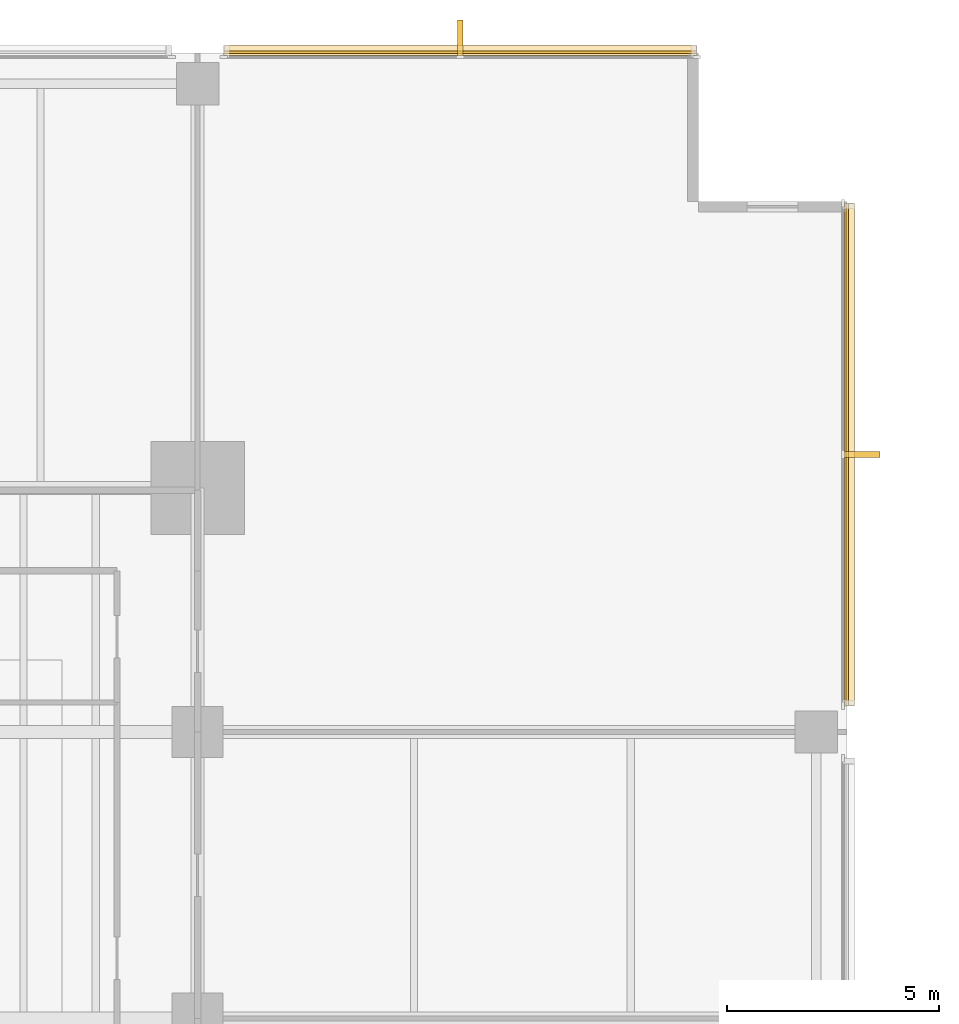
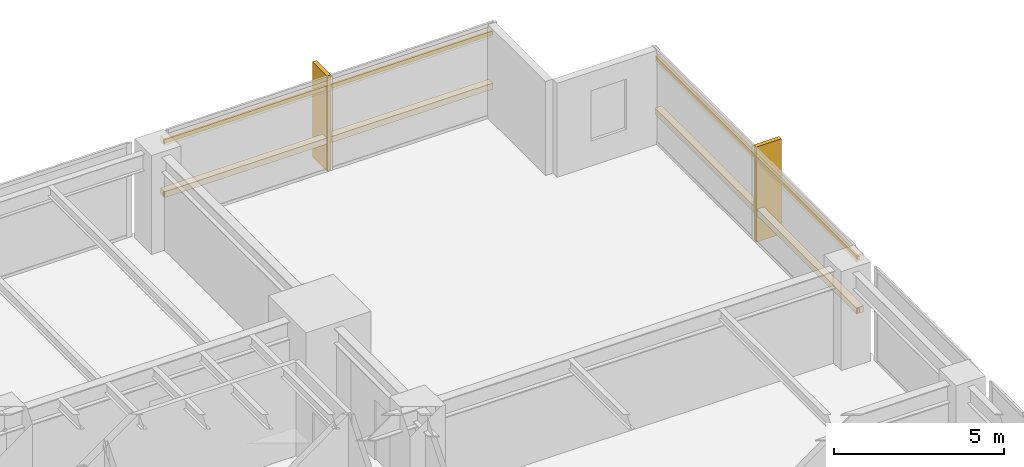
# One storey, part 15 of 15: 6 coverings, 4 shading devices.
"""IFC4 building model written with IfcOpenShell, lengths in metres."""

from ifc_helpers import new_model, si_unit, direction, frame, origin, origin_2d, place, context, subcontext, project, spatial, polyline, rectangle, outline, extrude, material, layer, layer_set, material_profile, profile_set, type_object, element, save


model = new_model("IFC4")

# Units and contexts
model_context = context("Model", 3, precision=1e-05, world=origin(), true_north=direction((0.0, 1.0)))
body_context = subcontext(model_context, "Body", "Model", "MODEL_VIEW")
ifc_project = project(units=[si_unit("LENGTHUNIT", "METRE"), si_unit("AREAUNIT", "SQUARE_METRE"), si_unit("VOLUMEUNIT", "CUBIC_METRE"), si_unit("PLANEANGLEUNIT", "RADIAN"), si_unit("MASSUNIT", "GRAM", prefix="KILO")], contexts=[model_context])

# Site, building, storey
site_placement = place(None, origin())
site = spatial("IfcSite", under=ifc_project, at=site_placement, CompositionType="ELEMENT")
building_placement = place(site_placement, origin())
building = spatial("IfcBuilding", under=site, at=building_placement, Name="Kinhvarn Gate Tower", CompositionType="ELEMENT")
storey_placement = place(building_placement, frame((0.0, 0.0, 32.699951171875)))
storey = spatial("IfcBuildingStorey", under=building, at=storey_placement, Name="L07", CompositionType="ELEMENT", Elevation=32.699951171875)

# Coverings
ifc_material = material(Name="Fired architectural terracotta", Category="masonry")
ifc_layer_1 = layer(ifc_material, 0.239990234375)
ifc_layer_set_1 = layer_set([ifc_layer_1], Name="Fired architectural terracotta")
covering_type_1 = type_object("IfcCoveringType", Name="COV-BAG-220", PredefinedType="CLADDING", material=ifc_layer_set_1)
covering_1_placement = place(storey_placement, frame((0.0, 0.0, 0.93994140625)))
element("IfcCovering", 1, at=covering_1_placement, inside=storey, type_object=covering_type_1, Name="Terracotta Horizontal Sunscreen Band TBG-220 (L07)", PredefinedType="CLADDING", context=body_context, shape_type="SweptSolid", body=[
    extrude(outline(polyline([(49.9599609375, 47.93994140625), (38.820068359375, 47.93994140625), (38.820068359375, 48.179931640625), (49.9599609375, 48.179931640625), (49.9599609375, 47.93994140625)])), origin(), (0.0, 0.0, 1.0), 0.22021484375),
])
covering_2_placement = place(storey_placement, frame((0.0, 0.0, 2.81005859375)))
element("IfcCovering", 2, at=covering_2_placement, inside=storey, type_object=covering_type_1, Name="Terracotta Horizontal Sunscreen Band TBG-220 (L07)", PredefinedType="CLADDING", context=body_context, shape_type="SweptSolid", body=[
    extrude(outline(polyline([(49.9599609375, 47.93994140625), (38.820068359375, 47.93994140625), (38.820068359375, 48.179931640625), (49.9599609375, 48.179931640625), (49.9599609375, 47.93994140625)])), origin(), (0.0, 0.0, 1.0), 0.219970703125),
])
covering_3_placement = place(storey_placement, frame((0.0, 0.0, 0.93994140625)))
element("IfcCovering", 3, at=covering_3_placement, inside=storey, type_object=covering_type_1, Name="Terracotta Horizontal Sunscreen Band TBG-220 (L07)", PredefinedType="CLADDING", context=body_context, shape_type="SweptSolid", body=[
    extrude(outline(polyline([(53.43994140625, 32.6201171875), (53.43994140625, 44.4599609375), (53.679931640625, 44.4599609375), (53.679931640625, 32.6201171875), (53.43994140625, 32.6201171875)])), origin(), (0.0, 0.0, 1.0), 0.22021484375),
])
covering_4_placement = place(storey_placement, frame((0.0, 0.0, 2.81005859375)))
element("IfcCovering", 4, at=covering_4_placement, inside=storey, type_object=covering_type_1, Name="Terracotta Horizontal Sunscreen Band TBG-220 (L07)", PredefinedType="CLADDING", context=body_context, shape_type="SweptSolid", body=[
    extrude(outline(polyline([(53.43994140625, 32.6201171875), (53.43994140625, 44.4599609375), (53.679931640625, 44.4599609375), (53.679931640625, 32.6201171875), (53.43994140625, 32.6201171875)])), origin(), (0.0, 0.0, 1.0), 0.219970703125),
])
ifc_layer_2 = layer(ifc_material, 0.139892578125)
ifc_layer_set_2 = layer_set([ifc_layer_2], Name="Fired architectural terracotta")
covering_type_2 = type_object("IfcCoveringType", Name="COV-FIN-850", PredefinedType="CLADDING", material=ifc_layer_set_2)
covering_5_placement = place(storey_placement, frame((0.0, 0.0, -0.02001953125)))
element("IfcCovering", 5, at=covering_5_placement, inside=storey, type_object=covering_type_2, Name="Vertical Terracotta Expressive Fin TFN-850 (L07)", PredefinedType="CLADDING", context=body_context, shape_type="SweptSolid", body=[
    extrude(outline(polyline([(44.4599609375, 47.929931640625), (44.320068359375, 47.929931640625), (44.320068359375, 48.780029296875), (44.4599609375, 48.780029296875), (44.4599609375, 47.929931640625)])), origin(), (0.0, 0.0, 1.0), 3.41015625),
])
covering_6_placement = place(storey_placement, frame((0.0, 0.0, -0.02001953125)))
element("IfcCovering", 6, at=covering_6_placement, inside=storey, type_object=covering_type_2, Name="Vertical Terracotta Expressive Fin TFN-850 (L07)", PredefinedType="CLADDING", context=body_context, shape_type="SweptSolid", body=[
    extrude(outline(polyline([(53.429931640625, 38.469970703125), (53.429931640625, 38.610107421875), (54.280029296875, 38.610107421875), (54.280029296875, 38.469970703125), (53.429931640625, 38.469970703125)])), origin(), (0.0, 0.0, 1.0), 3.41015625),
])

# Shading devices
ifc_material_profile = material_profile(ifc_material, rectangle(XDim=0.06005859375, YDim=0.139892578125, at=origin_2d()), Name="TC 60x140")
ifc_profile_set = profile_set([ifc_material_profile], Name="Fired architectural terracotta")
shading_device_type = type_object("IfcShadingDeviceType", Name="SHD-BAG-180", PredefinedType="USERDEFINED", material=ifc_profile_set)
for number, where, z_axis, x_axis, name in (
    (7, (49.9599609375, 48.014892578125, 1.050048828125), (-1.0, 0.0, 0.0), (0.0, -1.0, 0.0), "Fired Terracotta Baguette Screen Rod 60x140 mm (L07)"),
    (8, (49.9599609375, 48.014892578125, 2.920166015625), (-1.0, 0.0, 0.0), (0.0, -1.0, 0.0), "Fired Terracotta Baguette Screen Rod 60x140 mm (L07)"),
):
    element("IfcShadingDevice", number, at=place(storey_placement, frame(where, z_axis=z_axis, x_axis=x_axis)), inside=storey, type_object=shading_device_type, Name=name, ObjectType="BAGUETTE", PredefinedType="USERDEFINED", context=body_context, shape_type="SweptSolid", body=[
        extrude(rectangle(XDim=0.06005859375, YDim=0.139892578125, at=origin_2d()), origin(), (0.0, 0.0, 1.0), 11.139892578125),
    ])
for number, where, z_axis, x_axis, name in (
    (9, (53.514892578125, 32.6201171875, 1.050048828125), (0.0, 1.0, 0.0), (-1.0, 0.0, 0.0), "Fired Terracotta Baguette Screen Rod 60x140 mm (L07)"),
    (10, (53.514892578125, 32.6201171875, 2.920166015625), (0.0, 1.0, 0.0), (-1.0, 0.0, 0.0), "Fired Terracotta Baguette Screen Rod 60x140 mm (L07)"),
):
    element("IfcShadingDevice", number, at=place(storey_placement, frame(where, z_axis=z_axis, x_axis=x_axis)), inside=storey, type_object=shading_device_type, Name=name, ObjectType="BAGUETTE", PredefinedType="USERDEFINED", context=body_context, shape_type="SweptSolid", body=[
        extrude(rectangle(XDim=0.06005859375, YDim=0.139892578125, at=origin_2d()), origin(), (0.0, 0.0, 1.0), 11.83984375),
    ])

save(model, "model.ifc")
